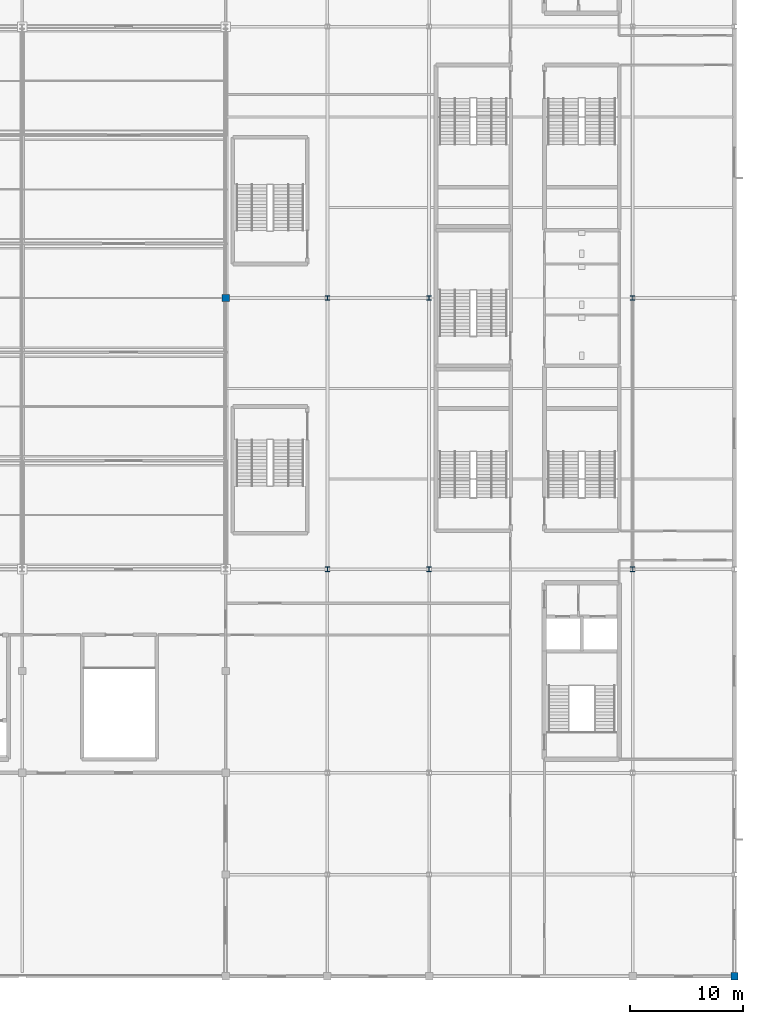
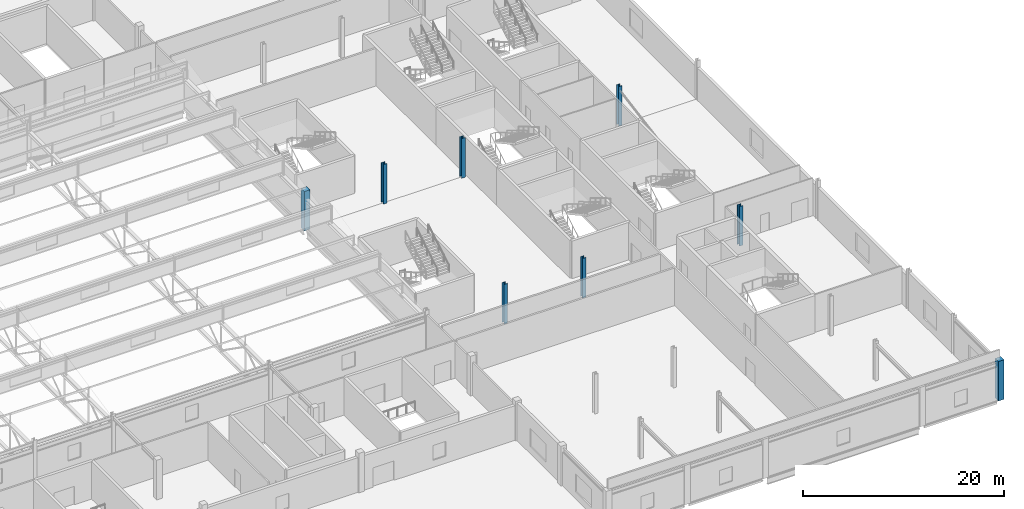
# One storey, part 8 of 136: 8 columns.
"""IFC4 building model written with IfcOpenShell, lengths in metres."""

import ifcopenshell
import ifcopenshell.guid

model = None  # the IFC model being written
_history = None  # IfcOwnerHistory: only IFC2X3 demands one
_inside = {}  # id of a spatial element -> (the spatial element, [elements in it])
_under = {}  # id of a project, library or spatial element -> (it, [spatial elements below it])
_declared = {}  # id of a project -> (the project, [libraries it declares])
_typed = {}  # id of a type object -> (the type object, [elements of that type])
_made_of = {}  # id of a material, layer set ... -> (it, [elements and type objects made of it])


def new_model(schema):
    """Start an empty IFC model of exactly this schema.

    Asked for "IFC4X3", IfcOpenShell would pick the latest addendum, in which some entities
    have other attributes; the version numbers below select the first issue.
    IFC2X3 requires an IfcOwnerHistory on every rooted entity: one is made here for all.
    """
    global model, _history
    if schema == "IFC4X3":
        model = ifcopenshell.file(schema_version=(4, 3, 0, 0))
    else:
        model = ifcopenshell.file(schema=schema)
    _inside.clear()
    _under.clear()
    _declared.clear()
    _typed.clear()
    _made_of.clear()
    _history = None
    if model.schema == "IFC2X3":
        org = make("IfcOrganization", Name="unknown")
        user = make(
            "IfcPersonAndOrganization",
            ThePerson=make("IfcPerson", FamilyName="unknown"),
            TheOrganization=org,
        )
        app = make(
            "IfcApplication",
            ApplicationDeveloper=org,
            Version="unknown",
            ApplicationFullName="unknown",
            ApplicationIdentifier="unknown",
        )
        _history = make(
            "IfcOwnerHistory",
            OwningUser=user,
            OwningApplication=app,
            ChangeAction="ADDED",
            CreationDate=0,
        )
    return model


def make(cls, **values):
    """One entity of the class cls with the attributes given. An attribute that is None is left unset."""
    return model.create_entity(
        cls, **{name: value for name, value in values.items() if value is not None}
    )


def rooted(cls, **values):
    """An entity with a GlobalId (a new one), such as an element, a storey or a relation."""
    return make(cls, GlobalId=ifcopenshell.guid.new(), OwnerHistory=_history, **values)


def si_unit(unit_type, name, prefix=None):
    """IfcSIUnit, for example si_unit("LENGTHUNIT", "METRE", prefix="MILLI")."""
    return make("IfcSIUnit", UnitType=unit_type, Prefix=prefix, Name=name)


def assignment(units):
    """IfcUnitAssignment: the units of a project."""
    return None if units is None else make("IfcUnitAssignment", Units=units)


def point(xyz):
    """IfcCartesianPoint."""
    return None if xyz is None else make("IfcCartesianPoint", Coordinates=xyz)


def direction(xyz):
    """IfcDirection."""
    return None if xyz is None else make("IfcDirection", DirectionRatios=xyz)


def frame(location, z_axis=None, x_axis=None):
    """IfcAxis2Placement3D, a coordinate frame: its origin and axes. An axis left out is left unset."""
    return make(
        "IfcAxis2Placement3D",
        Location=point(location),
        Axis=direction(z_axis),
        RefDirection=direction(x_axis),
    )


def frame_2d(location, x_axis=None):
    """IfcAxis2Placement2D, a coordinate frame in the plane: its origin and x axis."""
    return make(
        "IfcAxis2Placement2D", Location=point(location), RefDirection=direction(x_axis)
    )


def origin():
    """The frame at (0, 0, 0) with its axes left unset."""
    return frame((0.0, 0.0, 0.0))


def origin_2d():
    """The frame at (0, 0) in the plane with its x axis left unset."""
    return frame_2d((0.0, 0.0))


def place(relative_to, where):
    """IfcLocalPlacement: puts the frame where relative to a parent placement (None: the world)."""
    return make(
        "IfcLocalPlacement", PlacementRelTo=relative_to, RelativePlacement=where
    )


def context(
    kind, dimensions, precision=None, world=None, true_north=None, identifier=None
):
    """IfcGeometricRepresentationContext, for example the 3D "Model" context."""
    return make(
        "IfcGeometricRepresentationContext",
        ContextIdentifier=identifier,
        ContextType=kind,
        CoordinateSpaceDimension=dimensions,
        Precision=precision,
        WorldCoordinateSystem=world,
        TrueNorth=true_north,
    )


def subcontext(parent, identifier, kind, view, scale=None):
    """IfcGeometricRepresentationSubContext, for example "Body" below "Model"."""
    return make(
        "IfcGeometricRepresentationSubContext",
        ContextIdentifier=identifier,
        ContextType=kind,
        ParentContext=parent,
        TargetScale=scale,
        TargetView=view,
    )


def project(units=None, contexts=None):
    """IfcProject with its units and contexts."""
    return rooted(
        "IfcProject",
        Name="project",
        RepresentationContexts=contexts,
        UnitsInContext=assignment(units),
    )


def spatial(cls, under=None, at=None, **own):
    """A site, building, storey or space (cls), placed at a placement, below another one or the project."""
    s = rooted(cls, ObjectPlacement=at, **own)
    if under is not None:
        _under.setdefault(under.id(), (under, []))[1].append(s)
    return s


def profile(cls, at=None, kind="AREA", **sizes):
    """A parametric profile (cls). Its sizes go by their IFC names, for example OverallWidth=200.0."""
    return make(cls, ProfileType=kind, Position=at, **sizes)


def rectangle(**sizes):
    """IfcRectangleProfileDef."""
    return profile("IfcRectangleProfileDef", **sizes)


def i_section(**sizes):
    """IfcIShapeProfileDef."""
    return profile("IfcIShapeProfileDef", **sizes)


def extrude(swept, where, along, depth):
    """IfcExtrudedAreaSolid: the profile swept, set in the frame where, extruded along a direction by depth."""
    return make(
        "IfcExtrudedAreaSolid",
        SweptArea=swept,
        Position=where,
        ExtrudedDirection=direction(along),
        Depth=depth,
    )


def shape(context_of_items, identifier, shape_type, items):
    """IfcShapeRepresentation: the items that make up one representation, for example the "Body"."""
    return make(
        "IfcShapeRepresentation",
        ContextOfItems=context_of_items,
        RepresentationIdentifier=identifier,
        RepresentationType=shape_type,
        Items=items,
    )


def material(Name=None, Category=None):
    """IfcMaterial."""
    return make("IfcMaterial", Name=Name, Category=Category)


def material_profile(
    of_material, cross_section, Name=None, Category=None, Priority=None
):
    """IfcMaterialProfile: a cross section and its material."""
    return make(
        "IfcMaterialProfile",
        Name=Name,
        Material=of_material,
        Profile=cross_section,
        Priority=Priority,
        Category=Category,
    )


def profile_set(profiles, Name=None, composite=None):
    """IfcMaterialProfileSet."""
    return make(
        "IfcMaterialProfileSet",
        Name=Name,
        MaterialProfiles=profiles,
        CompositeProfile=composite,
    )


def made_of(thing, what):
    """Note that an element or type object is made of a material, layer set ...; save() writes the relation."""
    if what is not None:
        _made_of.setdefault(what.id(), (what, []))[1].append(thing)
    return thing


def type_object(cls, material=None, **own):
    """A type object (cls), such as IfcWallType, which elements share."""
    return made_of(rooted(cls, **own), material)


def element(
    cls,
    number,
    at=None,
    inside=None,
    cuts=None,
    type_object=None,
    material=None,
    context=None,
    identifier="Body",
    shape_type=None,
    held_by="IfcProductDefinitionShape",
    body=None,
    shapes=None,
    **own,
):
    """One element of the class cls, such as IfcWall. Its Tag is "e" and its number.

    at: its placement. inside: the storey or other place that contains it. cuts: it is an
    opening in that element (IfcRelVoidsElement). A single representation is given by context,
    identifier, shape_type and body (its items); several are given by shapes. held_by: the class
    of the entity that holds the representations. save() writes the other relations.
    """
    e = rooted(cls, Tag="e%d" % number, ObjectPlacement=at, **own)
    if body is not None:
        shapes = [shape(context, identifier, shape_type, body)]
    if shapes is not None:
        e.Representation = make(held_by, Representations=shapes)
    if inside is not None:
        _inside.setdefault(inside.id(), (inside, []))[1].append(e)
    if cuts is not None:
        rooted(
            "IfcRelVoidsElement", RelatingBuildingElement=cuts, RelatedOpeningElement=e
        )
    if type_object is not None:
        _typed.setdefault(type_object.id(), (type_object, []))[1].append(e)
    return made_of(e, material)


def aggregate(whole, parts):
    """IfcRelAggregates: a whole, such as a stair, and the parts it consists of."""
    return rooted("IfcRelAggregates", RelatingObject=whole, RelatedObjects=parts)


def save(model, path):
    """Write the relations noted so far, then the file.

    IfcRelAggregates (storeys below a building ...), IfcRelContainedInSpatialStructure (elements
    in a storey), IfcRelDefinesByType, IfcRelAssociatesMaterial and IfcRelDeclares: one each for
    every whole, place, type object, material and project.
    """
    for whole, parts in _under.values():
        aggregate(whole, parts)
    for where, things in _inside.values():
        rooted(
            "IfcRelContainedInSpatialStructure",
            RelatedElements=things,
            RelatingStructure=where,
        )
    for kind, things in _typed.values():
        rooted("IfcRelDefinesByType", RelatedObjects=things, RelatingType=kind)
    for what, things in _made_of.values():
        rooted("IfcRelAssociatesMaterial", RelatedObjects=things, RelatingMaterial=what)
    for by, libraries in _declared.values():
        rooted("IfcRelDeclares", RelatingContext=by, RelatedDefinitions=libraries)
    model.write(path)


model = new_model("IFC4")

# Units and contexts
model_context = context("Model", 3, precision=1e-05, world=origin(), true_north=direction((0.0, 1.0)))
body_context = subcontext(model_context, "Body", "Model", "MODEL_VIEW")
ifc_project = project(units=[si_unit("LENGTHUNIT", "METRE"), si_unit("AREAUNIT", "SQUARE_METRE"), si_unit("VOLUMEUNIT", "CUBIC_METRE"), si_unit("PLANEANGLEUNIT", "RADIAN"), si_unit("MASSUNIT", "GRAM", prefix="KILO")], contexts=[model_context])

# Site, building, storey
site_placement = place(None, origin())
site = spatial("IfcSite", under=ifc_project, at=site_placement, CompositionType="ELEMENT")
building_placement = place(site_placement, origin())
building = spatial("IfcBuilding", under=site, at=building_placement, Name="Kisiwana Market Hall", CompositionType="ELEMENT")
storey_placement = place(building_placement, frame((0.0, 0.0, 16.800048828125)))
storey = spatial("IfcBuildingStorey", under=building, at=storey_placement, Name="L03", CompositionType="ELEMENT", Elevation=16.800048828125)

# Columns
ifc_material_1 = material(Name="Concrete C40/50", Category="concrete")
ifc_material_profile_1 = material_profile(ifc_material_1, rectangle(XDim=0.64990234375, YDim=0.64990234375, at=origin_2d()), Name="RC 650x650")
ifc_profile_set_1 = profile_set([ifc_material_profile_1], Name="Concrete C40/50")
column_type_1 = type_object("IfcColumnType", Name="COL-RC-POD-650", PredefinedType="COLUMN", material=ifc_profile_set_1)
for number, where, z_axis, x_axis, name in (
    (1, (153.0, 60.0, 0.0), (0.0, 0.0, 1.0), (1.0, 0.0, 0.0), "Column H/18 (L03) C-0744"),
    (2, (198.0, 0.0, 0.0), (0.0, 0.0, 1.0), (1.0, 0.0, 0.0), "Column A/23 (L03) C-0775"),
):
    element("IfcColumn", number, at=place(storey_placement, frame(where, z_axis=z_axis, x_axis=x_axis)), inside=storey, type_object=column_type_1, Name=name, PredefinedType="COLUMN", context=body_context, shape_type="SweptSolid", body=[
        extrude(rectangle(XDim=0.64990234375, YDim=0.64990234375, at=origin_2d()), origin(), (0.0, 0.0, 1.0), 4.800048828125),
    ])
ifc_material_2 = material(Name="Steel S355", Category="steel")
ifc_material_profile_2 = material_profile(ifc_material_2, i_section(OverallWidth=0.406005859375, OverallDepth=0.416015625, WebThickness=0.02978515625, FlangeThickness=0.048095703125, at=origin_2d()), Name="HD 400x382")
ifc_profile_set_2 = profile_set([ifc_material_profile_2], Name="Steel S355")
column_type_2 = type_object("IfcColumnType", Name="COL-STL-HD382", PredefinedType="COLUMN", material=ifc_profile_set_2)
for number, where, z_axis, x_axis, name in (
    (3, (162.0, 36.0, 0.0), (0.0, 0.0, 1.0), (1.0, 0.0, 0.0), "Column E/19 (L03) C-0753"),
    (4, (171.0, 36.0, 0.0), (0.0, 0.0, 1.0), (1.0, 0.0, 0.0), "Column E/20 (L03) C-0761"),
    (5, (171.0, 60.0, 0.0), (0.0, 0.0, 1.0), (1.0, 0.0, 0.0), "Column H/20 (L03) C-0762"),
    (6, (189.0, 36.0, 0.0), (0.0, 0.0, 1.0), (1.0, 0.0, 0.0), "Column E/22 (L03) C-0770"),
    (7, (162.0, 60.0, 0.0), (0.0, 0.0, 1.0), (1.0, 0.0, 0.0), "Column H/19 (L03) C-0658"),
    (8, (189.0, 60.0, 0.0), (0.0, 0.0, 1.0), (1.0, 0.0, 0.0), "Column H/22 (L03) C-0659"),
):
    element("IfcColumn", number, at=place(storey_placement, frame(where, z_axis=z_axis, x_axis=x_axis)), inside=storey, type_object=column_type_2, Name=name, PredefinedType="COLUMN", context=body_context, shape_type="SweptSolid", body=[
        extrude(i_section(OverallWidth=0.406005859375, OverallDepth=0.416015625, WebThickness=0.02978515625, FlangeThickness=0.048095703125, at=origin_2d()), origin(), (0.0, 0.0, 1.0), 4.800048828125),
    ])

save(model, "model.ifc")
